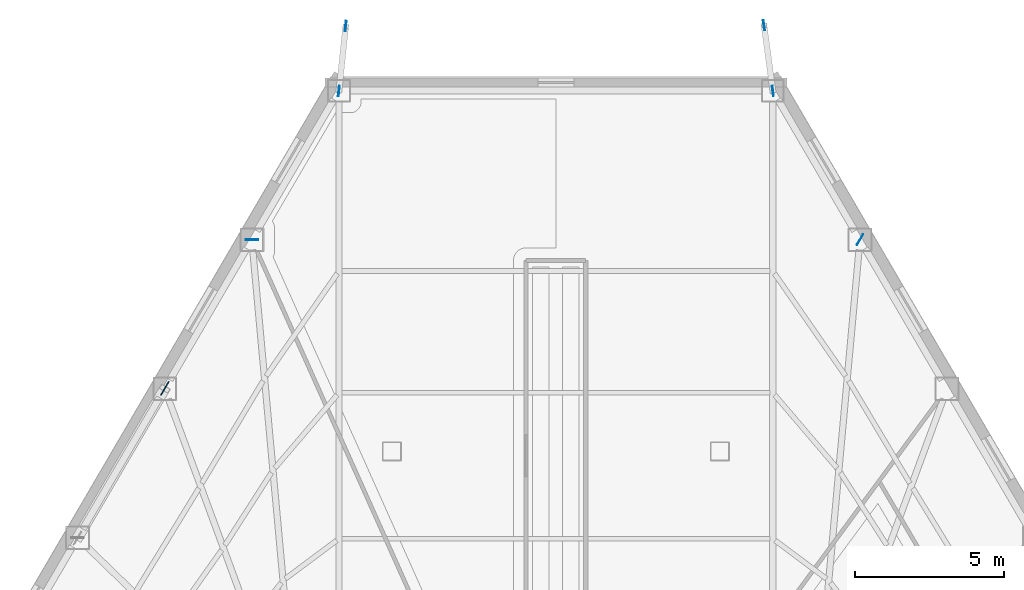
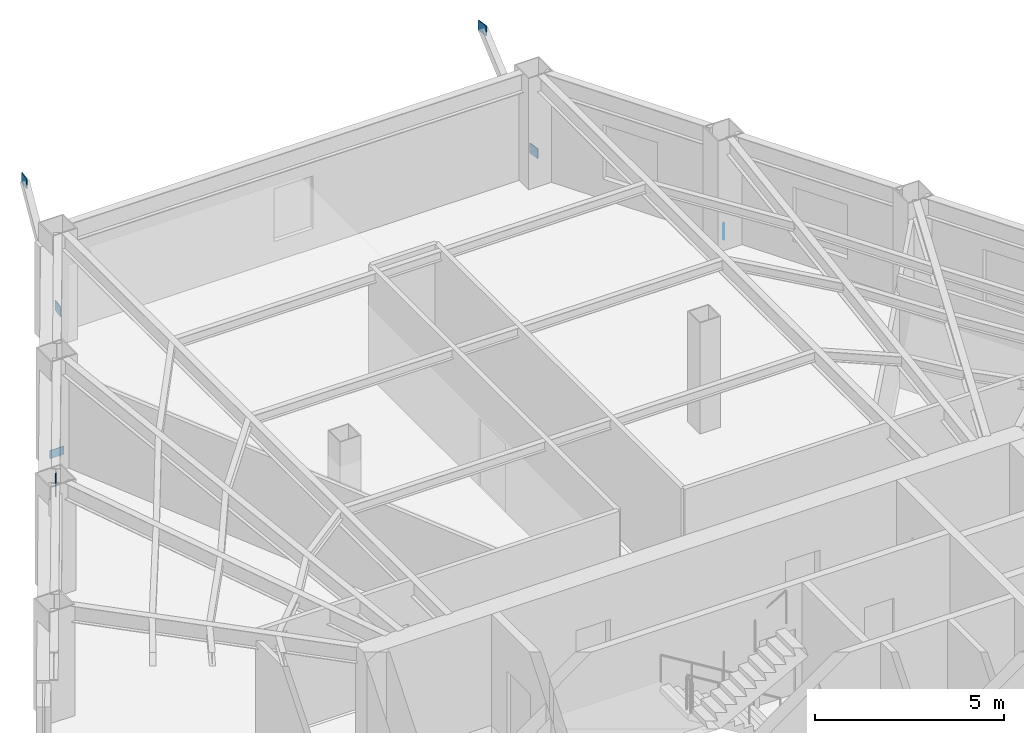
# One storey, part 6 of 13: 7 plates.
"""IFC4 building model written with IfcOpenShell, lengths in metres."""

from ifc_helpers import new_model, si_unit, direction, frame, origin, origin_2d, place, context, subcontext, project, spatial, rectangle, extrude, material, layer, layer_set, type_object, element, save


model = new_model("IFC4")

# Units and contexts
model_context = context("Model", 3, precision=1e-05, world=origin(), true_north=direction((0.0, 1.0)))
body_context = subcontext(model_context, "Body", "Model", "MODEL_VIEW")
ifc_project = project(units=[si_unit("LENGTHUNIT", "METRE"), si_unit("AREAUNIT", "SQUARE_METRE"), si_unit("VOLUMEUNIT", "CUBIC_METRE"), si_unit("PLANEANGLEUNIT", "RADIAN"), si_unit("MASSUNIT", "GRAM", prefix="KILO")], contexts=[model_context])

# Site, building, storey
site_placement = place(None, origin())
site = spatial("IfcSite", under=ifc_project, at=site_placement, CompositionType="ELEMENT")
building_placement = place(site_placement, origin())
building = spatial("IfcBuilding", under=site, at=building_placement, Name="Kavelnor Concourse Tower", CompositionType="ELEMENT")
storey_placement = place(building_placement, frame((0.0, 0.0, 59.89990234375)))
storey = spatial("IfcBuildingStorey", under=building, at=storey_placement, Name="L15", CompositionType="ELEMENT", Elevation=59.89990234375)

# Plates
ifc_material = material(Name="Steel Grade 350", Category="steel")
ifc_layer_1 = layer(ifc_material, 0.028076171875, Name="Steel Grade 350")
ifc_layer_set_1 = layer_set([ifc_layer_1], Name="Steel Grade 350")
plate_type_1 = type_object("IfcPlateType", Name="PL-GUSSET-FOLD", PredefinedType="USERDEFINED", material=ifc_layer_set_1)
for number, where, z_axis, x_axis, name in (
    (1, (45.27490234375, 43.8818359375, 0.740234375), (0.0, 0.0, 1.0), (-0.133640258869, 0.991029909341, 0.0), "L15 Terrace Strut Gusset GP4 C0-A End Gusset A"),
    (2, (44.976806640625, 46.09228515625, 3.47509765625), (0.0, 0.0, 1.0), (-0.133640258869, 0.991029909341, 0.0), "L15 Terrace Strut Gusset GP4 C0-A End Gusset B"),
    (3, (30.725341796875, 43.8818359375, 0.740234375), (0.0, 0.0, 1.0), (0.104007718516, 0.994576490014, 0.0), "L15 Terrace Strut Gusset GP4 C0-B End Gusset A"),
    (4, (30.952880859375, 46.05859375, 3.47509765625), (0.0, 0.0, 1.0), (0.104007718516, 0.994576490014, 0.0), "L15 Terrace Strut Gusset GP4 C0-B End Gusset B"),
):
    element("IfcPlate", number, at=place(storey_placement, frame(where, z_axis=z_axis, x_axis=x_axis)), inside=storey, type_object=plate_type_1, Name=name, ObjectType="GUSSET_PLATE", PredefinedType="USERDEFINED", context=body_context, shape_type="SweptSolid", body=[
        extrude(rectangle(XDim=0.340087890625, YDim=0.028076171875, at=origin_2d()), origin(), (0.0, 0.0, 1.0), 0.320068359375),
    ])
ifc_layer_2 = layer(ifc_material, 0.031982421875, Name="Steel Grade 350")
ifc_layer_set_2 = layer_set([ifc_layer_2], Name="Steel Grade 350")
plate_type_2 = type_object("IfcPlateType", Name="PL-GUSSET-TUBE-Z1", PredefinedType="USERDEFINED", material=ifc_layer_set_2)
plate_placement = place(storey_placement, frame((24.890380859375, 33.9111328125, 3.07421875), z_axis=(0.0, 0.0, 1.0), x_axis=(0.504678307081, 0.863307480775, 0.0)))
element("IfcPlate", 5, at=plate_placement, inside=storey, type_object=plate_type_2, Name="L15 Tube Brace Gusset GP3 F0-B2 End Gusset B", ObjectType="GUSSET_PLATE", PredefinedType="USERDEFINED", context=body_context, shape_type="SweptSolid", body=[
    extrude(rectangle(XDim=0.52001953125, YDim=0.031982421875, at=origin_2d()), origin(), (0.0, 0.0, 1.0), 0.419921875),
])
ifc_layer_3 = layer(ifc_material, 0.02490234375, Name="Steel Grade 350")
ifc_layer_set_3 = layer_set([ifc_layer_3], Name="Steel Grade 350")
plate_type_3 = type_object("IfcPlateType", Name="PL-SPLICE-FLANGE", PredefinedType="SHEET", material=ifc_layer_set_3)
for number, where, z_axis, x_axis, name in (
    (6, (27.805419921875, 38.897216796875, 0.169921875), (0.0, 0.0, 1.0), (1.0, 0.0, 0.0), "L15 Column Flange Splice Plate F0-B1"),
    (7, (48.194580078125, 38.897216796875, 0.169921875), (0.0, 0.0, 1.0), (-0.5, -0.866025403784, 0.0), "L15 Column Flange Splice Plate F2-B5"),
):
    element("IfcPlate", number, at=place(storey_placement, frame(where, z_axis=z_axis, x_axis=x_axis)), inside=storey, type_object=plate_type_3, Name=name, PredefinedType="SHEET", context=body_context, shape_type="SweptSolid", body=[
        extrude(rectangle(XDim=0.419921875, YDim=0.02490234375, at=origin_2d()), origin(), (0.0, 0.0, 1.0), 0.260009765625),
    ])

save(model, "model.ifc")
